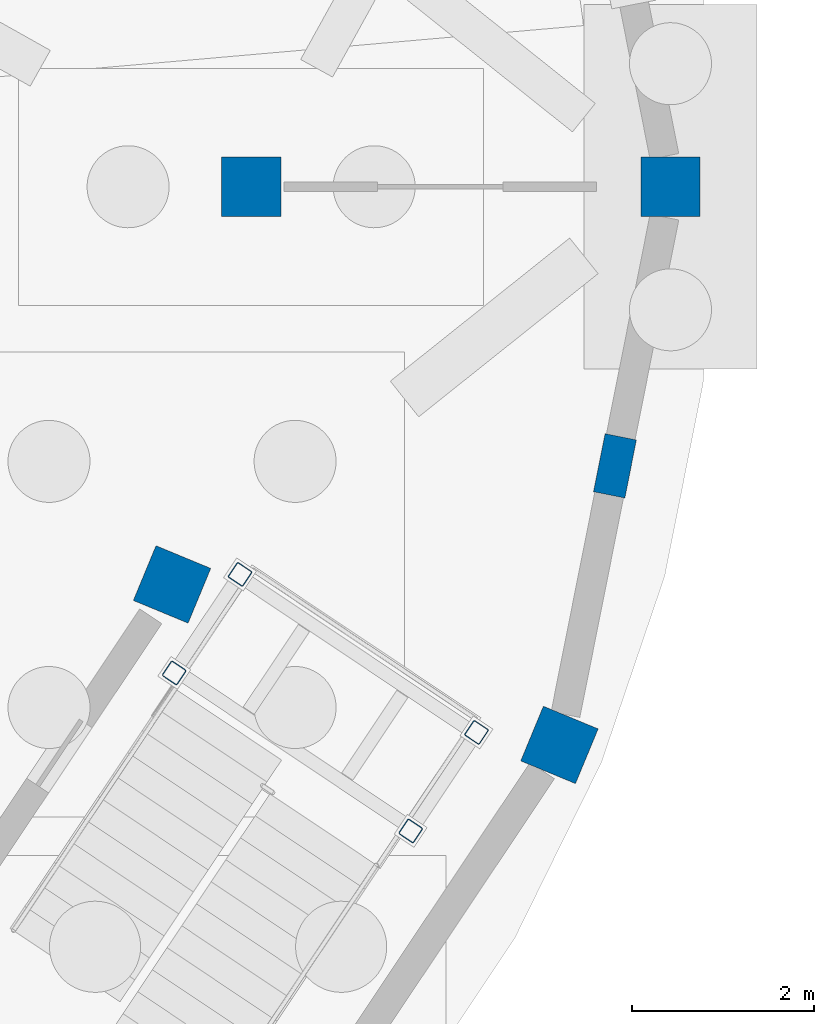
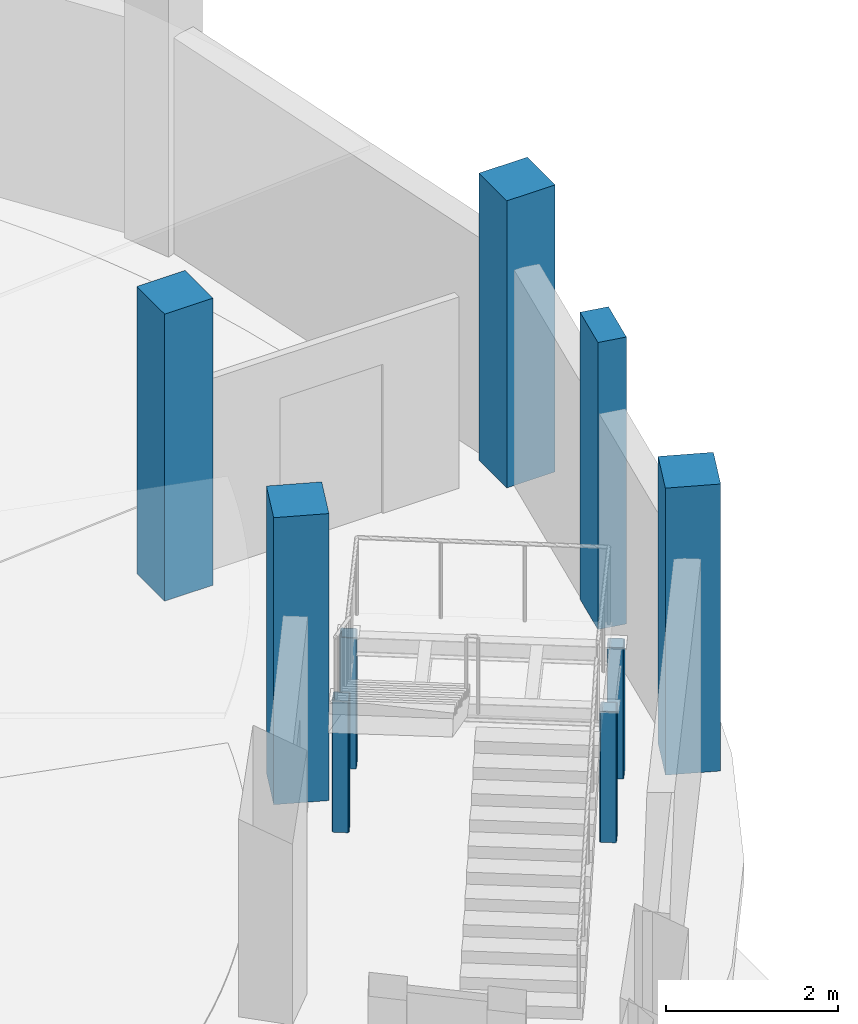
# One storey, part 23 of 58: 9 columns.
"""IFC4 building model written with IfcOpenShell, lengths in metres."""

from ifc_helpers import new_model, si_unit, direction, frame, origin, origin_2d, place, context, subcontext, project, spatial, rectangle, hollow_rectangle, extrude, material, material_profile, profile_set, type_object, element, save


model = new_model("IFC4")

# Units and contexts
model_context = context("Model", 3, precision=1e-05, world=origin(), true_north=direction((0.0, 1.0)))
body_context = subcontext(model_context, "Body", "Model", "MODEL_VIEW")
ifc_project = project(units=[si_unit("LENGTHUNIT", "METRE"), si_unit("AREAUNIT", "SQUARE_METRE"), si_unit("VOLUMEUNIT", "CUBIC_METRE"), si_unit("PLANEANGLEUNIT", "RADIAN"), si_unit("MASSUNIT", "GRAM", prefix="KILO")], contexts=[model_context])

# Site, building, storey
site_placement = place(None, origin())
site = spatial("IfcSite", under=ifc_project, at=site_placement, CompositionType="ELEMENT")
building_placement = place(site_placement, origin())
building = spatial("IfcBuilding", under=site, at=building_placement, Name="Caldaven Crescent School", CompositionType="ELEMENT")
storey_placement = place(building_placement, frame((0.0, 0.0, -4.080078125)))
storey = spatial("IfcBuildingStorey", under=building, at=storey_placement, Name="B1", CompositionType="ELEMENT", Elevation=-4.080078125)

# Columns
ifc_material_1 = material(Name="Steel ASTM A572 Grade 50", Category="steel")
ifc_material_profile_1 = material_profile(ifc_material_1, hollow_rectangle(XDim=0.199951171875, YDim=0.199951171875, WallThickness=0.010009765625, InnerFilletRadius=0.010009765625, OuterFilletRadius=0.02001953125, at=origin_2d()), Name="HSS 200x200x10")
ifc_profile_set_1 = profile_set([ifc_material_profile_1], Name="Steel ASTM A572 Grade 50")
column_type_1 = type_object("IfcColumnType", Name="COL-HS20", PredefinedType="COLUMN", material=ifc_profile_set_1)
for number, where, z_axis, x_axis, name in (
    (1, (36.650146484375, 91.433349609375, 0.0), (0.0, 0.0, 1.0), (0.55557023302, 0.831469612303, 0.0), "COL-STPOST-STB1-B1-A"),
    (2, (34.055908203125, 93.16650390625, 0.0), (0.0, 0.0, 1.0), (0.55557023302, 0.831469612303, 0.0), "COL-STPOST-STB1-B1-B"),
    (3, (37.372314453125, 92.51416015625, 0.0), (0.0, 0.0, 1.0), (0.55557023302, 0.831469612303, 0.0), "COL-STPOST-STB1-B1-C"),
    (4, (34.778076171875, 94.24755859375, 0.0), (0.0, 0.0, 1.0), (0.55557023302, 0.831469612303, 0.0), "COL-STPOST-STB1-B1-D"),
):
    element("IfcColumn", number, at=place(storey_placement, frame(where, z_axis=z_axis, x_axis=x_axis)), inside=storey, type_object=column_type_1, Name=name, PredefinedType="COLUMN", context=body_context, shape_type="SweptSolid", body=[
        extrude(hollow_rectangle(XDim=0.199951171875, YDim=0.199951171875, WallThickness=0.010009765625, InnerFilletRadius=0.010009765625, OuterFilletRadius=0.02001953125, at=origin_2d()), origin(), (0.0, 0.0, 1.0), 1.860107421875),
    ])
ifc_material_2 = material(Name="Concrete C35/45", Category="concrete")
ifc_material_profile_2 = material_profile(ifc_material_2, rectangle(XDim=0.64990234375, YDim=0.64990234375, at=origin_2d()), Name="RC 650x650")
ifc_profile_set_2 = profile_set([ifc_material_profile_2], Name="Concrete C35/45")
column_type_2 = type_object("IfcColumnType", Name="COL-RC65", PredefinedType="COLUMN", material=ifc_profile_set_2)
for number, where, z_axis, x_axis, name in (
    (5, (34.89990234375, 98.5, 0.0), (0.0, 0.0, 1.0), (1.0, 0.0, 0.0), "COL-V2-B1-GAL-00"),
    (6, (39.5, 98.5, 0.0), (0.0, 0.0, 1.0), (1.0, 0.0, 0.0), "COL-V2-B1-OUT-00"),
    (7, (34.0322265625, 94.137451171875, 0.0), (0.0, 0.0, 1.0), (0.923879532511, -0.382683432365, 0.0), "COL-V2-B1-GAL-15"),
    (8, (38.281982421875, 92.376953125, 0.0), (0.0, 0.0, 1.0), (0.923879532511, -0.382683432365, 0.0), "COL-V2-B1-OUT-15"),
):
    element("IfcColumn", number, at=place(storey_placement, frame(where, z_axis=z_axis, x_axis=x_axis)), inside=storey, type_object=column_type_2, Name=name, PredefinedType="COLUMN", context=body_context, shape_type="SweptSolid", body=[
        extrude(rectangle(XDim=0.64990234375, YDim=0.64990234375, at=origin_2d()), origin(), (0.0, 0.0, 1.0), 4.080078125),
    ])
ifc_material_3 = material(Name="Concrete C30/37", Category="concrete")
ifc_material_profile_3 = material_profile(ifc_material_3, rectangle(XDim=0.35009765625, YDim=0.64990234375, at=origin_2d()), Name="RC 350x650")
ifc_profile_set_3 = profile_set([ifc_material_profile_3], Name="Concrete C30/37")
column_type_3 = type_object("IfcColumnType", Name="PIL-RC35", PredefinedType="PILASTER", material=ifc_profile_set_3)
column_placement = place(storey_placement, frame((38.89111328125, 95.4384765625, 0.0), z_axis=(0.0, 0.0, 1.0), x_axis=(0.980785280403, -0.195090322016, 0.0)))
element("IfcColumn", 9, at=column_placement, inside=storey, type_object=column_type_3, Name="PIL-V2-B1-07", PredefinedType="PILASTER", context=body_context, shape_type="SweptSolid", body=[
    extrude(rectangle(XDim=0.35009765625, YDim=0.64990234375, at=origin_2d()), origin(), (0.0, 0.0, 1.0), 4.080078125),
])

save(model, "model.ifc")
